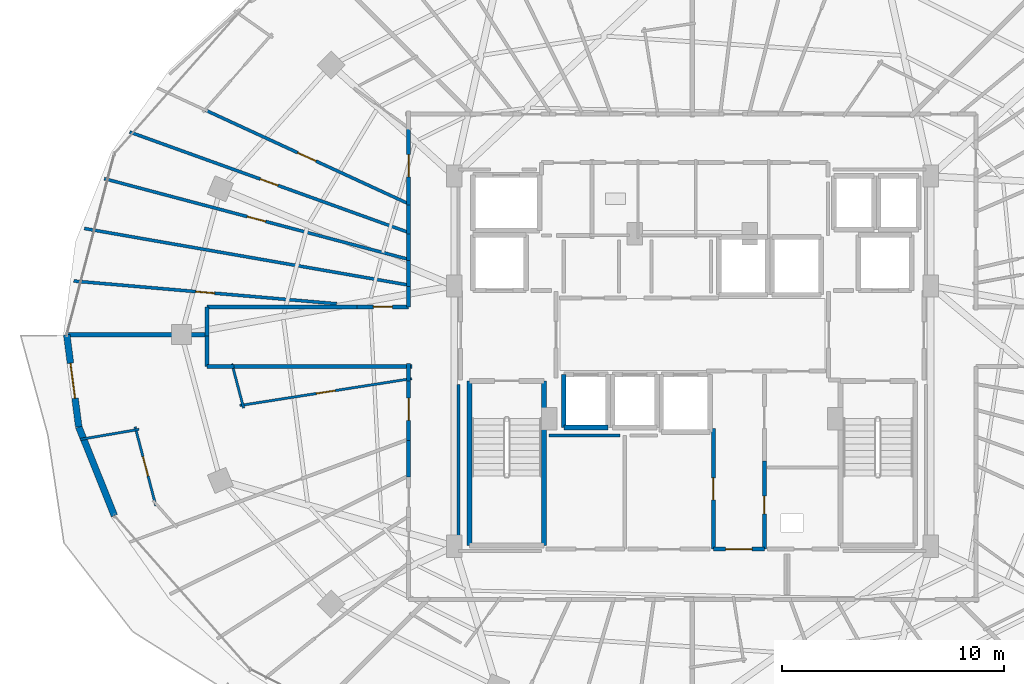
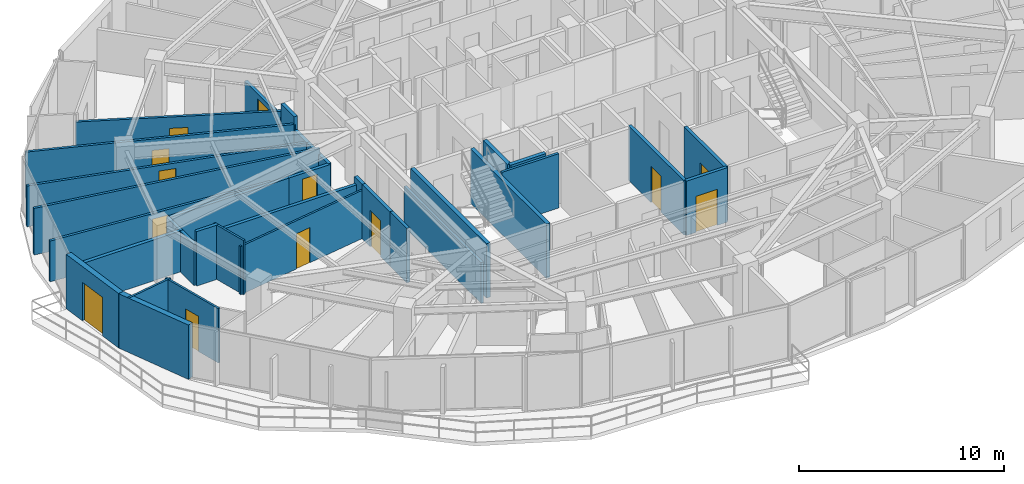
# One storey, part 25 of 34: 35 walls, 13 doors, 13 openings.
"""IFC4 building model written with IfcOpenShell, lengths in metres."""

from ifc_helpers import new_model, si_unit, direction, frame, frame_2d, origin, place, context, subcontext, project, spatial, rectangle, extrude, material, layer, layer_set, type_object, element, fill, save


model = new_model("IFC4")

# Units and contexts
model_context = context("Model", 3, precision=1e-05, world=origin(), true_north=direction((0.0, 1.0)))
body_context = subcontext(model_context, "Body", "Model", "MODEL_VIEW")
ifc_project = project(units=[si_unit("LENGTHUNIT", "METRE"), si_unit("AREAUNIT", "SQUARE_METRE"), si_unit("VOLUMEUNIT", "CUBIC_METRE"), si_unit("PLANEANGLEUNIT", "RADIAN"), si_unit("MASSUNIT", "GRAM", prefix="KILO")], contexts=[model_context])

# Site, building, storey
site_placement = place(None, origin())
site = spatial("IfcSite", under=ifc_project, at=site_placement, CompositionType="ELEMENT")
building_placement = place(site_placement, origin())
building = spatial("IfcBuilding", under=site, at=building_placement, Name="Vorneva Point Tower", CompositionType="ELEMENT")
storey_placement = place(building_placement, frame((0.0, 0.0, 186.10009765625)))
storey = spatial("IfcBuildingStorey", under=building, at=storey_placement, Name="L50", CompositionType="ELEMENT", Elevation=186.10009765625)

# Wall, opening, door
ifc_material_1 = material(Name="Precast concrete B50 (C40/50)", Category="concrete")
ifc_layer_1 = layer(ifc_material_1, 0.300048828125)
ifc_layer_set_1 = layer_set([ifc_layer_1], Name="Precast concrete B50 (C40/50)")
wall_type_1 = type_object("IfcWallType", Name="WL-EXT-300", PredefinedType="STANDARD", material=ifc_layer_set_1)
wall_1_placement = place(storey_placement, frame((9.77001953125, 26.0, 0.0), z_axis=(0.0, 0.0, 1.0), x_axis=(0.129147853268, -0.991625348605, 0.0)))
wall_1 = element("IfcWall", 1, at=wall_1_placement, inside=storey, type_object=wall_type_1, Name="L50 Pale-Metal Facade Spandrel Wall 09.1", PredefinedType="STANDARD", context=body_context, shape_type="SweptSolid", body=[
    extrude(rectangle(XDim=4.200439453125, YDim=0.300048828125, at=frame_2d((2.10009765625, 0.0))), origin(), (0.0, 0.0, 1.0), 3.239990234375),
])
opening_1_placement = place(wall_1_placement, frame((1.30029296875, 0.0, 0.0)))
opening_1 = element("IfcOpeningElement", 2, at=opening_1_placement, cuts=wall_1, Name="Opening BD-01", PredefinedType="OPENING", context=body_context, shape_type="SweptSolid", body=[
    extrude(rectangle(XDim=1.60009765625, YDim=2.300048828125, at=frame_2d((0.800048828125, 1.14990234375))), frame((0.0, 0.1650390625, 0.0), z_axis=(0.0, -1.0, 0.0), x_axis=(1.0, 0.0, 0.0)), (0.0, 0.0, 1.0), 0.329833984375),
])
ifc_material_2 = material(Name="Pale anodised aluminium", Category="aluminium")
door_type_1 = type_object("IfcDoorType", Name="DR-BAL-1600", OperationType="SLIDING_TO_LEFT", PredefinedType="DOOR", material=ifc_material_2)
door_1_placement = place(opening_1_placement, origin())
door_1 = element("IfcDoor", 3, at=door_1_placement, inside=storey, type_object=door_type_1, Name="L50 Balcony Terrace Access Door 09", OperationType="SLIDING_TO_LEFT", OverallHeight=2.300048828125, OverallWidth=1.60009765625, PredefinedType="DOOR", context=body_context, shape_type="SweptSolid", body=[
    extrude(rectangle(XDim=1.60009765625, YDim=2.300048828125, at=frame_2d((0.800048828125, 1.14990234375))), frame((0.0, 0.02490234375, 0.0), z_axis=(0.0, -1.0, 0.0), x_axis=(1.0, 0.0, 0.0)), (0.0, 0.0, 1.0), 0.050048828125),
])
fill(opening_1, door_1)

# Wall
wall_2_placement = place(storey_placement, frame((10.3125, 21.834716796875, 0.0), z_axis=(0.0, 0.0, 1.0), x_axis=(0.372268409848, -0.928125116043, 0.0)))
element("IfcWall", 4, at=wall_2_placement, inside=storey, type_object=wall_type_1, Name="L50 Pale-Metal Facade Spandrel Wall 09.2", PredefinedType="STANDARD", context=body_context, shape_type="SweptSolid", body=[
    extrude(rectangle(XDim=4.315185546875, YDim=0.300048828125, at=frame_2d((2.15771484375, 0.0))), origin(), (0.0, 0.0, 1.0), 3.239990234375),
])

# Wall, opening, door
ifc_material_3 = material(Name="Fire-rated acoustic gypsum stud partition", Category="gypsum")
ifc_layer_2 = layer(ifc_material_3, 0.110107421875)
ifc_layer_set_2 = layer_set([ifc_layer_2], Name="Fire-rated acoustic gypsum stud partition")
wall_type_2 = type_object("IfcWallType", Name="WL-PART-110", PredefinedType="PARTITIONING", material=ifc_layer_set_2)
wall_3_placement = place(storey_placement, frame((25.33837890625, 24.0146484375, 0.0), z_axis=(0.0, 0.0, 1.0), x_axis=(-0.987940229144, -0.154835731144, 0.0)))
wall_3 = element("IfcWall", 5, at=wall_3_placement, inside=storey, type_object=wall_type_2, Name="L50 Interior Partition 151", PredefinedType="PARTITIONING", context=body_context, shape_type="SweptSolid", body=[
    extrude(rectangle(XDim=7.85546875, YDim=0.110107421875, at=frame_2d((3.927734375, 0.0))), origin(), (0.0, 0.0, 1.0), 2.8740234375),
])
opening_2_placement = place(wall_3_placement, frame((3.502685546875, 0.0, 0.0)))
opening_2 = element("IfcOpeningElement", 6, at=opening_2_placement, cuts=wall_3, Name="Opening ID-02", PredefinedType="OPENING", context=body_context, shape_type="SweptSolid", body=[
    extrude(rectangle(XDim=0.85009765625, YDim=2.10009765625, at=frame_2d((0.425048828125, 1.050048828125))), frame((0.0, 0.06982421875, 0.0), z_axis=(0.0, -1.0, 0.0), x_axis=(1.0, 0.0, 0.0)), (0.0, 0.0, 1.0), 0.139892578125),
])
ifc_material_4 = material(Name="Engineered oak fire-rated door leaf", Category="wood")
door_type_2 = type_object("IfcDoorType", Name="DR-BATH-850", OperationType="NOTDEFINED", PredefinedType="DOOR", material=ifc_material_4)
door_2_placement = place(opening_2_placement, origin())
door_2 = element("IfcDoor", 7, at=door_2_placement, inside=storey, type_object=door_type_2, Name="L50 Door Living and Dining Room L50-05 / Bathroom L50-05", OperationType="SINGLE_SWING_RIGHT", OverallHeight=2.10009765625, OverallWidth=0.85009765625, PredefinedType="DOOR", context=body_context, shape_type="SweptSolid", body=[
    extrude(rectangle(XDim=0.85009765625, YDim=2.10009765625, at=frame_2d((0.425048828125, 1.050048828125))), frame((0.0, 0.02490234375, 0.0), z_axis=(0.0, -1.0, 0.0), x_axis=(1.0, 0.0, 0.0)), (0.0, 0.0, 1.0), 0.050048828125),
])
fill(opening_2, door_2)

# Walls
wall_4_placement = place(storey_placement, frame((17.751708984375, 22.6845703125, 0.0), z_axis=(0.0, 0.0, 1.0), x_axis=(-0.254429402158, 0.967091350038, 0.0)))
element("IfcWall", 8, at=wall_4_placement, inside=storey, type_object=wall_type_2, Name="L50 Interior Partition 152", PredefinedType="PARTITIONING", context=body_context, shape_type="SweptSolid", body=[
    extrude(rectangle(XDim=2.06884765625, YDim=0.110107421875, at=frame_2d((1.034423828125, 0.0))), origin(), (0.0, 0.0, 1.0), 3.239990234375),
])
wall_5_placement = place(storey_placement, frame((10.39404296875, 21.271484375, 0.0), z_axis=(0.0, 0.0, 1.0), x_axis=(0.985656128296, 0.168766100722, 0.0)))
element("IfcWall", 9, at=wall_5_placement, inside=storey, type_object=wall_type_2, Name="L50 Interior Partition 153", PredefinedType="PARTITIONING", context=body_context, shape_type="SweptSolid", body=[
    extrude(rectangle(XDim=2.67333984375, YDim=0.110107421875, at=frame_2d((1.336669921875, 0.0))), origin(), (0.0, 0.0, 1.0), 3.239990234375),
])

# Wall, opening, door
wall_6_placement = place(storey_placement, frame((12.85546875, 21.83447265625, 0.0), z_axis=(0.0, 0.0, 1.0), x_axis=(0.254271540361, -0.967132867688, 0.0)))
wall_6 = element("IfcWall", 10, at=wall_6_placement, inside=storey, type_object=wall_type_2, Name="L50 Interior Partition 154", PredefinedType="PARTITIONING", context=body_context, shape_type="SweptSolid", body=[
    extrude(rectangle(XDim=3.68505859375, YDim=0.110107421875, at=frame_2d((1.842529296875, 0.0))), origin(), (0.0, 0.0, 1.0), 3.239990234375),
])
opening_3_placement = place(wall_6_placement, frame((1.392578125, 0.0, 0.0)))
opening_3 = element("IfcOpeningElement", 11, at=opening_3_placement, cuts=wall_6, Name="Opening ID-01", PredefinedType="OPENING", context=body_context, shape_type="SweptSolid", body=[
    extrude(rectangle(XDim=0.89990234375, YDim=2.10009765625, at=frame_2d((0.449951171875, 1.050048828125))), frame((0.0, 0.06982421875, 0.0), z_axis=(0.0, -1.0, 0.0), x_axis=(1.0, 0.0, 0.0)), (0.0, 0.0, 1.0), 0.139892578125),
])
door_type_3 = type_object("IfcDoorType", Name="DR-ROOM-900", OperationType="NOTDEFINED", PredefinedType="DOOR", material=ifc_material_4)
door_3_placement = place(opening_3_placement, origin())
door_3 = element("IfcDoor", 12, at=door_3_placement, inside=storey, type_object=door_type_3, Name="L50 Door Living and Dining Room L50-05 / Kitchen L50-05", OperationType="SINGLE_SWING_LEFT", OverallHeight=2.10009765625, OverallWidth=0.89990234375, PredefinedType="DOOR", context=body_context, shape_type="SweptSolid", body=[
    extrude(rectangle(XDim=0.89990234375, YDim=2.10009765625, at=frame_2d((0.449951171875, 1.050048828125))), frame((0.0, 0.02490234375, 0.0), z_axis=(0.0, -1.0, 0.0), x_axis=(1.0, 0.0, 0.0)), (0.0, 0.0, 1.0), 0.050048828125),
])
fill(opening_3, door_3)

ifc_layer_3 = layer(ifc_material_3, 0.139892578125)
ifc_layer_set_3 = layer_set([ifc_layer_3], Name="Fire-rated acoustic gypsum stud partition")
wall_type_3 = type_object("IfcWallType", Name="WL-PART-140", PredefinedType="PARTITIONING", material=ifc_layer_set_3)
wall_7_placement = place(storey_placement, frame((16.006103515625, 36.138916015625, 0.0), z_axis=(0.0, 0.0, 1.0), x_axis=(0.908157621609, -0.41862839645, 0.0)))
wall_7 = element("IfcWall", 13, at=wall_7_placement, inside=storey, type_object=wall_type_3, Name="L50 Interior Partition 144", PredefinedType="PARTITIONING", context=body_context, shape_type="SweptSolid", body=[
    extrude(rectangle(XDim=10.12353515625, YDim=0.139892578125, at=frame_2d((5.061767578125, 0.0))), origin(), (0.0, 0.0, 1.0), 2.77392578125),
])
opening_4_placement = place(wall_7_placement, frame((4.61181640625, 0.0, 0.0)))
opening_4 = element("IfcOpeningElement", 14, at=opening_4_placement, cuts=wall_7, Name="Opening ID-01", PredefinedType="OPENING", context=body_context, shape_type="SweptSolid", body=[
    extrude(rectangle(XDim=0.89990234375, YDim=2.10009765625, at=frame_2d((0.449951171875, 1.050048828125))), frame((0.0, 0.0849609375, 0.0), z_axis=(0.0, -1.0, 0.0), x_axis=(1.0, 0.0, 0.0)), (0.0, 0.0, 1.0), 0.169677734375),
])
door_4_placement = place(opening_4_placement, origin())
door_4 = element("IfcDoor", 15, at=door_4_placement, inside=storey, type_object=door_type_3, Name="L50 Door Living and Dining Room L50-04 / Master Bedroom L50-04.1", OperationType="SINGLE_SWING_LEFT", OverallHeight=2.10009765625, OverallWidth=0.89990234375, PredefinedType="DOOR", context=body_context, shape_type="SweptSolid", body=[
    extrude(rectangle(XDim=0.89990234375, YDim=2.10009765625, at=frame_2d((0.449951171875, 1.050048828125))), frame((0.0, 0.02490234375, 0.0), z_axis=(0.0, -1.0, 0.0), x_axis=(1.0, 0.0, 0.0)), (0.0, 0.0, 1.0), 0.050048828125),
])
fill(opening_4, door_4)

wall_8_placement = place(storey_placement, frame((12.60888671875, 35.14111328125, 0.0), z_axis=(0.0, 0.0, 1.0), x_axis=(0.940877411069, -0.338747246985, 0.0)))
wall_8 = element("IfcWall", 16, at=wall_8_placement, inside=storey, type_object=wall_type_3, Name="L50 Interior Partition 146", PredefinedType="PARTITIONING", context=body_context, shape_type="SweptSolid", body=[
    extrude(rectangle(XDim=13.38232421875, YDim=0.139892578125, at=frame_2d((6.691162109375, 0.0))), origin(), (0.0, 0.0, 1.0), 2.77392578125),
])
opening_5_placement = place(wall_8_placement, frame((6.26611328125, 0.0, 0.0)))
opening_5 = element("IfcOpeningElement", 17, at=opening_5_placement, cuts=wall_8, Name="Opening ID-02", PredefinedType="OPENING", context=body_context, shape_type="SweptSolid", body=[
    extrude(rectangle(XDim=0.85009765625, YDim=2.10009765625, at=frame_2d((0.425048828125, 1.050048828125))), frame((0.0, 0.0849609375, 0.0), z_axis=(0.0, -1.0, 0.0), x_axis=(1.0, 0.0, 0.0)), (0.0, 0.0, 1.0), 0.169677734375),
])
door_5_placement = place(opening_5_placement, origin())
door_5 = element("IfcDoor", 18, at=door_5_placement, inside=storey, type_object=door_type_2, Name="L50 Access Door Master Bedroom L50-04.1", OperationType="SINGLE_SWING_LEFT", OverallHeight=2.10009765625, OverallWidth=0.85009765625, PredefinedType="DOOR", context=body_context, shape_type="SweptSolid", body=[
    extrude(rectangle(XDim=0.85009765625, YDim=2.10009765625, at=frame_2d((0.425048828125, 1.050048828125))), frame((0.0, 0.02490234375, 0.0), z_axis=(0.0, -1.0, 0.0), x_axis=(1.0, 0.0, 0.0)), (0.0, 0.0, 1.0), 0.050048828125),
])
fill(opening_5, door_5)

wall_9_placement = place(storey_placement, frame((11.465087890625, 33.035888671875, 0.0), z_axis=(0.0, 0.0, 1.0), x_axis=(0.966598137313, -0.256296782934, 0.0)))
wall_9 = element("IfcWall", 19, at=wall_9_placement, inside=storey, type_object=wall_type_3, Name="L50 Interior Partition 147", PredefinedType="PARTITIONING", context=body_context, shape_type="SweptSolid", body=[
    extrude(rectangle(XDim=14.20947265625, YDim=0.139892578125, at=frame_2d((7.104736328125, 0.0))), origin(), (0.0, 0.0, 1.0), 2.431884765625),
])
opening_6_placement = place(wall_9_placement, frame((6.6796875, 0.0, 0.0)))
opening_6 = element("IfcOpeningElement", 20, at=opening_6_placement, cuts=wall_9, Name="Opening ID-02", PredefinedType="OPENING", context=body_context, shape_type="SweptSolid", body=[
    extrude(rectangle(XDim=0.85009765625, YDim=2.10009765625, at=frame_2d((0.425048828125, 1.050048828125))), frame((0.0, 0.0849609375, 0.0), z_axis=(0.0, -1.0, 0.0), x_axis=(1.0, 0.0, 0.0)), (0.0, 0.0, 1.0), 0.169677734375),
])
door_6_placement = place(opening_6_placement, origin())
door_6 = element("IfcDoor", 21, at=door_6_placement, inside=storey, type_object=door_type_2, Name="L50 Access Door Bedroom L50-04.2", OperationType="SINGLE_SWING_RIGHT", OverallHeight=2.10009765625, OverallWidth=0.85009765625, PredefinedType="DOOR", context=body_context, shape_type="SweptSolid", body=[
    extrude(rectangle(XDim=0.85009765625, YDim=2.10009765625, at=frame_2d((0.425048828125, 1.050048828125))), frame((0.0, 0.02490234375, 0.0), z_axis=(0.0, -1.0, 0.0), x_axis=(1.0, 0.0, 0.0)), (0.0, 0.0, 1.0), 0.050048828125),
])
fill(opening_6, door_6)

# Wall
wall_10_placement = place(storey_placement, frame((10.56494140625, 30.7880859375, 0.0), z_axis=(0.0, 0.0, 1.0), x_axis=(0.985109541297, -0.171927867563, 0.0)))
element("IfcWall", 22, at=wall_10_placement, inside=storey, type_object=wall_type_3, Name="L50 Interior Partition 148", PredefinedType="PARTITIONING", context=body_context, shape_type="SweptSolid", body=[
    extrude(rectangle(XDim=14.856201171875, YDim=0.139892578125, at=frame_2d((7.42822265625, 0.0))), origin(), (0.0, 0.0, 1.0), 2.77392578125),
])

# Wall, opening, door
wall_11_placement = place(storey_placement, frame((10.0859375, 28.41796875, 0.0), z_axis=(0.0, 0.0, 1.0), x_axis=(0.996267232338, -0.08632266081, 0.0)))
wall_11 = element("IfcWall", 23, at=wall_11_placement, inside=storey, type_object=wall_type_3, Name="L50 Interior Partition 149", PredefinedType="PARTITIONING", context=body_context, shape_type="SweptSolid", body=[
    extrude(rectangle(XDim=11.90966796875, YDim=0.139892578125, at=frame_2d((5.954833984375, 0.0))), origin(), (0.0, 0.0, 1.0), 2.431884765625),
])
opening_7_placement = place(wall_11_placement, frame((5.52978515625, 0.0, 0.0)))
opening_7 = element("IfcOpeningElement", 24, at=opening_7_placement, cuts=wall_11, Name="Opening ID-02", PredefinedType="OPENING", context=body_context, shape_type="SweptSolid", body=[
    extrude(rectangle(XDim=0.85009765625, YDim=2.10009765625, at=frame_2d((0.425048828125, 1.050048828125))), frame((0.0, 0.0849609375, 0.0), z_axis=(0.0, -1.0, 0.0), x_axis=(1.0, 0.0, 0.0)), (0.0, 0.0, 1.0), 0.169677734375),
])
door_7_placement = place(opening_7_placement, origin())
door_7 = element("IfcDoor", 25, at=door_7_placement, inside=storey, type_object=door_type_2, Name="L50 Access Door Bedroom L50-04.4", OperationType="SINGLE_SWING_LEFT", OverallHeight=2.10009765625, OverallWidth=0.85009765625, PredefinedType="DOOR", context=body_context, shape_type="SweptSolid", body=[
    extrude(rectangle(XDim=0.85009765625, YDim=2.10009765625, at=frame_2d((0.425048828125, 1.050048828125))), frame((0.0, 0.02490234375, 0.0), z_axis=(0.0, -1.0, 0.0), x_axis=(1.0, 0.0, 0.0)), (0.0, 0.0, 1.0), 0.050048828125),
])
fill(opening_7, door_7)

# Walls
wall_12_placement = place(storey_placement, frame((34.72998046875, 21.449951171875, 0.0), z_axis=(0.0, 0.0, 1.0), x_axis=(-1.0, 0.0, 0.0)))
element("IfcWall", 26, at=wall_12_placement, inside=storey, type_object=wall_type_3, Name="L50 Interior Closure Partition 201", PredefinedType="PARTITIONING", context=body_context, shape_type="SweptSolid", body=[
    extrude(rectangle(XDim=3.199951171875, YDim=0.139892578125, at=frame_2d((1.60009765625, 0.0))), origin(), (0.0, 0.0, 1.0), 3.239990234375),
])
wall_13_placement = place(storey_placement, frame((27.449951171875, 23.75390625, 0.0), z_axis=(0.0, 0.0, 1.0), x_axis=(0.0, -1.0, 0.0)))
element("IfcWall", 27, at=wall_13_placement, inside=storey, type_object=wall_type_3, Name="L50 Interior Closure Partition 212", PredefinedType="PARTITIONING", context=body_context, shape_type="SweptSolid", body=[
    extrude(rectangle(XDim=7.513916015625, YDim=0.139892578125, at=frame_2d((3.7568359375, 0.0))), origin(), (0.0, 0.0, 1.0), 2.431884765625),
])

# Wall, opening, door
ifc_material_5 = material(Name="Autoclaved aerated concrete blockwork", Category="masonry")
ifc_layer_4 = layer(ifc_material_5, 0.179931640625)
ifc_layer_set_4 = layer_set([ifc_layer_4], Name="Autoclaved aerated concrete blockwork")
wall_type_4 = type_object("IfcWallType", Name="WL-PART-180", PredefinedType="PARTITIONING", material=ifc_layer_set_4)
wall_14_placement = place(storey_placement, frame((41.25, 16.320068359375, 0.0), z_axis=(0.0, 0.0, 1.0), x_axis=(0.0, 1.0, 0.0)))
wall_14 = element("IfcWall", 28, at=wall_14_placement, inside=storey, type_object=wall_type_4, Name="L50 Interior Partition 014", PredefinedType="PARTITIONING", context=body_context, shape_type="SweptSolid", body=[
    extrude(rectangle(XDim=3.98486328125, YDim=0.179931640625, at=frame_2d((1.992431640625, 0.0))), origin(), (0.0, 0.0, 1.0), 3.239990234375),
])
opening_8_placement = place(wall_14_placement, frame((1.592529296875, 0.0, 0.0)))
opening_8 = element("IfcOpeningElement", 29, at=opening_8_placement, cuts=wall_14, Name="Opening RD-01", PredefinedType="OPENING", context=body_context, shape_type="SweptSolid", body=[
    extrude(rectangle(XDim=0.800048828125, YDim=2.050048828125, at=frame_2d((0.39990234375, 1.02490234375))), frame((0.0, 0.10498046875, 0.0), z_axis=(0.0, -1.0, 0.0), x_axis=(1.0, 0.0, 0.0)), (0.0, 0.0, 1.0), 0.209716796875),
])
ifc_material_6 = material(Name="Fire-rated powder-coated steel", Category="steel")
door_type_4 = type_object("IfcDoorType", Name="DR-RSR-800", OperationType="SINGLE_SWING_LEFT", PredefinedType="DOOR", material=ifc_material_6)
door_8_placement = place(opening_8_placement, origin())
door_8 = element("IfcDoor", 30, at=door_8_placement, inside=storey, type_object=door_type_4, Name="L50 Door Core Service Lobby / Electrical Riser", OperationType="SINGLE_SWING_RIGHT", OverallHeight=2.050048828125, OverallWidth=0.800048828125, PredefinedType="DOOR", context=body_context, shape_type="SweptSolid", body=[
    extrude(rectangle(XDim=0.800048828125, YDim=2.050048828125, at=frame_2d((0.39990234375, 1.02490234375))), frame((0.0, 0.02490234375, 0.0), z_axis=(0.0, -1.0, 0.0), x_axis=(1.0, 0.0, 0.0)), (0.0, 0.0, 1.0), 0.050048828125),
])
fill(opening_8, door_8)

wall_15_placement = place(storey_placement, frame((38.949951171875, 21.7548828125, 0.0), z_axis=(0.0, 0.0, 1.0), x_axis=(0.0, -1.0, 0.0)))
wall_15 = element("IfcWall", 31, at=wall_15_placement, inside=storey, type_object=wall_type_4, Name="L50 Interior Partition 016", PredefinedType="PARTITIONING", context=body_context, shape_type="SweptSolid", body=[
    extrude(rectangle(XDim=5.434814453125, YDim=0.179931640625, at=frame_2d((2.71728515625, 0.0))), origin(), (0.0, 0.0, 1.0), 3.239990234375),
])
opening_9_placement = place(wall_15_placement, frame((2.217529296875, 0.0, 0.0)))
opening_9 = element("IfcOpeningElement", 32, at=opening_9_placement, cuts=wall_15, Name="Opening UD-01", PredefinedType="OPENING", context=body_context, shape_type="SweptSolid", body=[
    extrude(rectangle(XDim=1.0, YDim=2.14990234375, at=frame_2d((0.5, 1.074951171875))), frame((0.0, 0.10498046875, 0.0), z_axis=(0.0, -1.0, 0.0), x_axis=(1.0, 0.0, 0.0)), (0.0, 0.0, 1.0), 0.209716796875),
])
door_type_5 = type_object("IfcDoorType", Name="DR-UNIT-1000", OperationType="NOTDEFINED", PredefinedType="DOOR", material=ifc_material_4)
door_9_placement = place(opening_9_placement, origin())
door_9 = element("IfcDoor", 33, at=door_9_placement, inside=storey, type_object=door_type_5, Name="L50 Door Core Service Lobby / Staff Service Pantry", OperationType="SINGLE_SWING_RIGHT", OverallHeight=2.14990234375, OverallWidth=1.0, PredefinedType="DOOR", context=body_context, shape_type="SweptSolid", body=[
    extrude(rectangle(XDim=1.0, YDim=2.14990234375, at=frame_2d((0.5, 1.074951171875))), frame((0.0, 0.02490234375, 0.0), z_axis=(0.0, -1.0, 0.0), x_axis=(1.0, 0.0, 0.0)), (0.0, 0.0, 1.0), 0.050048828125),
])
fill(opening_9, door_9)

wall_16_placement = place(storey_placement, frame((38.949951171875, 16.320068359375, 0.0), z_axis=(0.0, 0.0, 1.0), x_axis=(1.0, 0.0, 0.0)))
wall_16 = element("IfcWall", 34, at=wall_16_placement, inside=storey, type_object=wall_type_4, Name="L50 Interior Partition 017", PredefinedType="PARTITIONING", context=body_context, shape_type="SweptSolid", body=[
    extrude(rectangle(XDim=2.300048828125, YDim=0.179931640625, at=frame_2d((1.14990234375, 0.0))), origin(), (0.0, 0.0, 1.0), 3.239990234375),
])
opening_10_placement = place(wall_16_placement, frame((0.550048828125, 0.0, 0.0)))
opening_10 = element("IfcOpeningElement", 35, at=opening_10_placement, cuts=wall_16, Name="Opening FD-02", PredefinedType="OPENING", context=body_context, shape_type="SweptSolid", body=[
    extrude(rectangle(XDim=1.199951171875, YDim=2.14990234375, at=frame_2d((0.60009765625, 1.074951171875))), frame((0.0, 0.10498046875, 0.0), z_axis=(0.0, -1.0, 0.0), x_axis=(1.0, 0.0, 0.0)), (0.0, 0.0, 1.0), 0.209716796875),
])
door_type_6 = type_object("IfcDoorType", Name="DR-FFL-1200", OperationType="NOTDEFINED", PredefinedType="DOOR", material=ifc_material_6)
door_10_placement = place(opening_10_placement, origin())
door_10 = element("IfcDoor", 36, at=door_10_placement, inside=storey, type_object=door_type_6, Name="L50 Door Core Service Lobby / L50 Circulation Corridor", OperationType="SINGLE_SWING_LEFT", OverallHeight=2.14990234375, OverallWidth=1.199951171875, PredefinedType="DOOR", context=body_context, shape_type="SweptSolid", body=[
    extrude(rectangle(XDim=1.199951171875, YDim=2.14990234375, at=frame_2d((0.60009765625, 1.074951171875))), frame((0.0, 0.02490234375, 0.0), z_axis=(0.0, -1.0, 0.0), x_axis=(1.0, 0.0, 0.0)), (0.0, 0.0, 1.0), 0.050048828125),
])
fill(opening_10, door_10)

wall_17_placement = place(storey_placement, frame((25.199951171875, 35.404052734375, 0.0), z_axis=(0.0, 0.0, 1.0), x_axis=(0.0, -1.0, 0.0)))
wall_17 = element("IfcWall", 37, at=wall_17_placement, inside=storey, type_object=wall_type_4, Name="L50 Interior Partition 056", PredefinedType="PARTITIONING", context=body_context, shape_type="SweptSolid", body=[
    extrude(rectangle(XDim=3.56298828125, YDim=0.179931640625, at=frame_2d((1.781494140625, 0.0))), origin(), (0.0, 0.0, 1.0), 2.431884765625),
])
opening_11_placement = place(wall_17_placement, frame((1.281494140625, 0.0, 0.0)))
opening_11 = element("IfcOpeningElement", 38, at=opening_11_placement, cuts=wall_17, Name="Opening UD-01", PredefinedType="OPENING", context=body_context, shape_type="SweptSolid", body=[
    extrude(rectangle(XDim=1.0, YDim=2.14990234375, at=frame_2d((0.5, 1.074951171875))), frame((0.0, 0.10498046875, 0.0), z_axis=(0.0, -1.0, 0.0), x_axis=(1.0, 0.0, 0.0)), (0.0, 0.0, 1.0), 0.209716796875),
])
door_11_placement = place(opening_11_placement, origin())
door_11 = element("IfcDoor", 39, at=door_11_placement, inside=storey, type_object=door_type_5, Name="L50 Door L50 Circulation Corridor / Living and Dining Room L50-04", OperationType="SINGLE_SWING_LEFT", OverallHeight=2.14990234375, OverallWidth=1.0, PredefinedType="DOOR", context=body_context, shape_type="SweptSolid", body=[
    extrude(rectangle(XDim=1.0, YDim=2.14990234375, at=frame_2d((0.5, 1.074951171875))), frame((0.0, 0.02490234375, 0.0), z_axis=(0.0, -1.0, 0.0), x_axis=(1.0, 0.0, 0.0)), (0.0, 0.0, 1.0), 0.050048828125),
])
fill(opening_11, door_11)

# Walls
wall_18_placement = place(storey_placement, frame((25.199951171875, 31.841064453125, 0.0), z_axis=(0.0, 0.0, 1.0), x_axis=(0.0, -1.0, 0.0)))
element("IfcWall", 40, at=wall_18_placement, inside=storey, type_object=wall_type_4, Name="L50 Interior Partition 059", PredefinedType="PARTITIONING", context=body_context, shape_type="SweptSolid", body=[
    extrude(rectangle(XDim=1.29296875, YDim=0.179931640625, at=frame_2d((0.646484375, 0.0))), origin(), (0.0, 0.0, 1.0), 3.239990234375),
])
wall_19_placement = place(storey_placement, frame((25.199951171875, 30.548095703125, 0.0), z_axis=(0.0, 0.0, 1.0), x_axis=(0.0, -1.0, 0.0)))
element("IfcWall", 41, at=wall_19_placement, inside=storey, type_object=wall_type_4, Name="L50 Interior Partition 060", PredefinedType="PARTITIONING", context=body_context, shape_type="SweptSolid", body=[
    extrude(rectangle(XDim=1.214111328125, YDim=0.179931640625, at=frame_2d((0.60693359375, 0.0))), origin(), (0.0, 0.0, 1.0), 2.431884765625),
])
wall_20_placement = place(storey_placement, frame((25.199951171875, 29.333984375, 0.0), z_axis=(0.0, 0.0, 1.0), x_axis=(0.0, -1.0, 0.0)))
element("IfcWall", 42, at=wall_20_placement, inside=storey, type_object=wall_type_4, Name="L50 Interior Partition 061", PredefinedType="PARTITIONING", context=body_context, shape_type="SweptSolid", body=[
    extrude(rectangle(XDim=1.159912109375, YDim=0.179931640625, at=frame_2d((0.580078125, 0.0))), origin(), (0.0, 0.0, 1.0), 2.431884765625),
])
wall_21_placement = place(storey_placement, frame((25.199951171875, 28.174072265625, 0.0), z_axis=(0.0, 0.0, 1.0), x_axis=(0.0, -1.0, 0.0)))
element("IfcWall", 43, at=wall_21_placement, inside=storey, type_object=wall_type_4, Name="L50 Interior Partition 062", PredefinedType="PARTITIONING", context=body_context, shape_type="SweptSolid", body=[
    extrude(rectangle(XDim=0.924072265625, YDim=0.179931640625, at=frame_2d((0.4619140625, 0.0))), origin(), (0.0, 0.0, 1.0), 2.431884765625),
])

# Wall, opening, door
wall_22_placement = place(storey_placement, frame((25.199951171875, 27.25, 0.0), z_axis=(0.0, 0.0, 1.0), x_axis=(-1.0, 0.0, 0.0)))
wall_22 = element("IfcWall", 44, at=wall_22_placement, inside=storey, type_object=wall_type_4, Name="L50 Interior Partition 063", PredefinedType="PARTITIONING", context=body_context, shape_type="SweptSolid", body=[
    extrude(rectangle(XDim=2.327880859375, YDim=0.179931640625, at=frame_2d((1.1640625, 0.0))), origin(), (0.0, 0.0, 1.0), 2.431884765625),
])
opening_12_placement = place(wall_22_placement, frame((0.739013671875, 0.0, 0.0)))
opening_12 = element("IfcOpeningElement", 45, at=opening_12_placement, cuts=wall_22, Name="Opening ID-02", PredefinedType="OPENING", context=body_context, shape_type="SweptSolid", body=[
    extrude(rectangle(XDim=0.85009765625, YDim=2.10009765625, at=frame_2d((0.425048828125, 1.050048828125))), frame((0.0, 0.10498046875, 0.0), z_axis=(0.0, -1.0, 0.0), x_axis=(1.0, 0.0, 0.0)), (0.0, 0.0, 1.0), 0.209716796875),
])
door_12_placement = place(opening_12_placement, origin())
door_12 = element("IfcDoor", 46, at=door_12_placement, inside=storey, type_object=door_type_2, Name="L50 Access Door L50 Circulation Corridor", OperationType="SINGLE_SWING_LEFT", OverallHeight=2.10009765625, OverallWidth=0.85009765625, PredefinedType="DOOR", context=body_context, shape_type="SweptSolid", body=[
    extrude(rectangle(XDim=0.85009765625, YDim=2.10009765625, at=frame_2d((0.425048828125, 1.050048828125))), frame((0.0, 0.02490234375, 0.0), z_axis=(0.0, -1.0, 0.0), x_axis=(1.0, 0.0, 0.0)), (0.0, 0.0, 1.0), 0.050048828125),
])
fill(opening_12, door_12)

# Walls
wall_23_placement = place(storey_placement, frame((16.10009765625, 27.25, 0.0), z_axis=(0.0, 0.0, 1.0), x_axis=(0.0, -1.0, 0.0)))
element("IfcWall", 47, at=wall_23_placement, inside=storey, type_object=wall_type_4, Name="L50 Interior Partition 064", PredefinedType="PARTITIONING", context=body_context, shape_type="SweptSolid", body=[
    extrude(rectangle(XDim=1.31005859375, YDim=0.179931640625, at=frame_2d((0.655029296875, 0.0))), origin(), (0.0, 0.0, 1.0), 2.431884765625),
])
wall_24_placement = place(storey_placement, frame((22.8720703125, 27.25, 0.0), z_axis=(0.0, 0.0, 1.0), x_axis=(-1.0, 0.0, 0.0)))
element("IfcWall", 48, at=wall_24_placement, inside=storey, type_object=wall_type_4, Name="L50 Interior Partition 065", PredefinedType="PARTITIONING", context=body_context, shape_type="SweptSolid", body=[
    extrude(rectangle(XDim=6.77197265625, YDim=0.179931640625, at=frame_2d((3.385986328125, 0.0))), origin(), (0.0, 0.0, 1.0), 2.431884765625),
])
wall_25_placement = place(storey_placement, frame((16.10009765625, 25.93994140625, 0.0), z_axis=(0.0, 0.0, 1.0), x_axis=(0.0, -1.0, 0.0)))
element("IfcWall", 49, at=wall_25_placement, inside=storey, type_object=wall_type_4, Name="L50 Interior Partition 066", PredefinedType="PARTITIONING", context=body_context, shape_type="SweptSolid", body=[
    extrude(rectangle(XDim=1.389892578125, YDim=0.179931640625, at=frame_2d((0.69482421875, 0.0))), origin(), (0.0, 0.0, 1.0), 2.431884765625),
])
wall_26_placement = place(storey_placement, frame((16.10009765625, 24.550048828125, 0.0), z_axis=(0.0, 0.0, 1.0), x_axis=(1.0, 0.0, 0.0)))
element("IfcWall", 50, at=wall_26_placement, inside=storey, type_object=wall_type_4, Name="L50 Interior Partition 067", PredefinedType="PARTITIONING", context=body_context, shape_type="SweptSolid", body=[
    extrude(rectangle(XDim=1.222900390625, YDim=0.179931640625, at=frame_2d((0.611328125, 0.0))), origin(), (0.0, 0.0, 1.0), 3.239990234375),
])

# Wall, opening, door
wall_27_placement = place(storey_placement, frame((25.199951171875, 24.052978515625, 0.0), z_axis=(0.0, 0.0, 1.0), x_axis=(0.0, -1.0, 0.0)))
wall_27 = element("IfcWall", 51, at=wall_27_placement, inside=storey, type_object=wall_type_4, Name="L50 Interior Partition 068", PredefinedType="PARTITIONING", context=body_context, shape_type="SweptSolid", body=[
    extrude(rectangle(XDim=2.8388671875, YDim=0.179931640625, at=frame_2d((1.41943359375, 0.0))), origin(), (0.0, 0.0, 1.0), 3.239990234375),
])
opening_13_placement = place(wall_27_placement, frame((0.91943359375, 0.0, 0.0)))
opening_13 = element("IfcOpeningElement", 52, at=opening_13_placement, cuts=wall_27, Name="Opening UD-01", PredefinedType="OPENING", context=body_context, shape_type="SweptSolid", body=[
    extrude(rectangle(XDim=1.0, YDim=2.14990234375, at=frame_2d((0.5, 1.074951171875))), frame((0.0, 0.10498046875, 0.0), z_axis=(0.0, -1.0, 0.0), x_axis=(1.0, 0.0, 0.0)), (0.0, 0.0, 1.0), 0.209716796875),
])
door_13_placement = place(opening_13_placement, origin())
door_13 = element("IfcDoor", 53, at=door_13_placement, inside=storey, type_object=door_type_5, Name="L50 Door L50 Circulation Corridor / Living and Dining Room L50-05", OperationType="SINGLE_SWING_RIGHT", OverallHeight=2.14990234375, OverallWidth=1.0, PredefinedType="DOOR", context=body_context, shape_type="SweptSolid", body=[
    extrude(rectangle(XDim=1.0, YDim=2.14990234375, at=frame_2d((0.5, 1.074951171875))), frame((0.0, 0.02490234375, 0.0), z_axis=(0.0, -1.0, 0.0), x_axis=(1.0, 0.0, 0.0)), (0.0, 0.0, 1.0), 0.050048828125),
])
fill(opening_13, door_13)

# Walls
wall_28_placement = place(storey_placement, frame((17.18310546875, 24.550048828125, 0.0), z_axis=(0.0, 0.0, 1.0), x_axis=(1.0, 0.0, 0.0)))
element("IfcWall", 54, at=wall_28_placement, inside=storey, type_object=wall_type_4, Name="L50 Interior Partition 069", PredefinedType="PARTITIONING", context=body_context, shape_type="SweptSolid", body=[
    extrude(rectangle(XDim=8.156982421875, YDim=0.179931640625, at=frame_2d((4.07861328125, 0.0))), origin(), (0.0, 0.0, 1.0), 2.8740234375),
])
wall_29_placement = place(storey_placement, frame((25.199951171875, 24.68994140625, 0.0), z_axis=(0.0, 0.0, 1.0), x_axis=(0.0, -1.0, 0.0)))
element("IfcWall", 55, at=wall_29_placement, inside=storey, type_object=wall_type_4, Name="L50 Interior Partition 070", PredefinedType="PARTITIONING", context=body_context, shape_type="SweptSolid", body=[
    extrude(rectangle(XDim=0.77685546875, YDim=0.179931640625, at=frame_2d((0.388427734375, 0.0))), origin(), (0.0, 0.0, 1.0), 3.239990234375),
])
wall_30_placement = place(storey_placement, frame((25.199951171875, 21.214111328125, 0.0), z_axis=(0.0, 0.0, 1.0), x_axis=(0.0, -1.0, 0.0)))
element("IfcWall", 56, at=wall_30_placement, inside=storey, type_object=wall_type_4, Name="L50 Interior Partition 071", PredefinedType="PARTITIONING", context=body_context, shape_type="SweptSolid", body=[
    extrude(rectangle(XDim=1.64501953125, YDim=0.179931640625, at=frame_2d((0.822509765625, 0.0))), origin(), (0.0, 0.0, 1.0), 3.239990234375),
])
ifc_layer_5 = layer(ifc_material_5, 0.199951171875)
ifc_layer_set_5 = layer_set([ifc_layer_5], Name="Autoclaved aerated concrete blockwork")
wall_type_5 = type_object("IfcWallType", Name="WL-PART-200", PredefinedType="PARTITIONING", material=ifc_layer_set_5)
wall_31_placement = place(storey_placement, frame((9.77099609375, 26.0, 0.0), z_axis=(0.0, 0.0, 1.0), x_axis=(1.0, 0.0, 0.0)))
element("IfcWall", 57, at=wall_31_placement, inside=storey, type_object=wall_type_5, Name="L50 Interior Partition 150", PredefinedType="PARTITIONING", context=body_context, shape_type="SweptSolid", body=[
    extrude(rectangle(XDim=6.3291015625, YDim=0.199951171875, at=frame_2d((3.16455078125, 0.0))), origin(), (0.0, 0.0, 1.0), 2.431884765625),
])
ifc_material_7 = material(Name="Concrete B50 (C40/50)", Category="concrete")
ifc_layer_6 = layer(ifc_material_7, 0.219970703125)
ifc_layer_set_6 = layer_set([ifc_layer_6], Name="Concrete B50 (C40/50)")
wall_type_6 = type_object("IfcWallType", Name="WL-SHFT-220", PredefinedType="SOLIDWALL", material=ifc_layer_set_6)
for number, where, z_axis, x_axis, name in (
    (58, (31.31005859375, 23.909912109375, 0.0), (0.0, 0.0, 1.0), (0.0, -1.0, 0.0), "L50 Exit Stair ST1 Shaft Wall right"),
    (59, (27.93994140625, 16.489990234375, 0.0), (0.0, 0.0, 1.0), (0.0, 1.0, 0.0), "L50 Exit Stair ST1 Shaft Wall left"),
):
    element("IfcWall", number, at=place(storey_placement, frame(where, z_axis=z_axis, x_axis=x_axis)), inside=storey, type_object=wall_type_6, Name=name, PredefinedType="SOLIDWALL", context=body_context, shape_type="SweptSolid", body=[
        extrude(rectangle(XDim=7.419921875, YDim=0.219970703125, at=frame_2d((3.7099609375, 0.0))), origin(), (0.0, 0.0, 1.0), 3.239990234375),
    ])
wall_32_placement = place(storey_placement, frame((32.199951171875, 21.800048828125, 0.0), z_axis=(0.0, 0.0, 1.0), x_axis=(1.0, 0.0, 0.0)))
element("IfcWall", 60, at=wall_32_placement, inside=storey, type_object=wall_type_6, Name="L50 Lift PL4 Shaft Wall -Y", PredefinedType="SOLIDWALL", context=body_context, shape_type="SweptSolid", body=[
    extrude(rectangle(XDim=2.0, YDim=0.219970703125, at=frame_2d((1.0, 0.0))), origin(), (0.0, 0.0, 1.0), 3.239990234375),
])
wall_33_placement = place(storey_placement, frame((32.199951171875, 24.199951171875, 0.0), z_axis=(0.0, 0.0, 1.0), x_axis=(0.0, -1.0, 0.0)))
element("IfcWall", 61, at=wall_33_placement, inside=storey, type_object=wall_type_6, Name="L50 Lift PL4 Shaft Wall -X", PredefinedType="SOLIDWALL", context=body_context, shape_type="SweptSolid", body=[
    extrude(rectangle(XDim=2.39990234375, YDim=0.219970703125, at=frame_2d((1.199951171875, 0.0))), origin(), (0.0, 0.0, 1.0), 3.239990234375),
])

save(model, "model.ifc")
